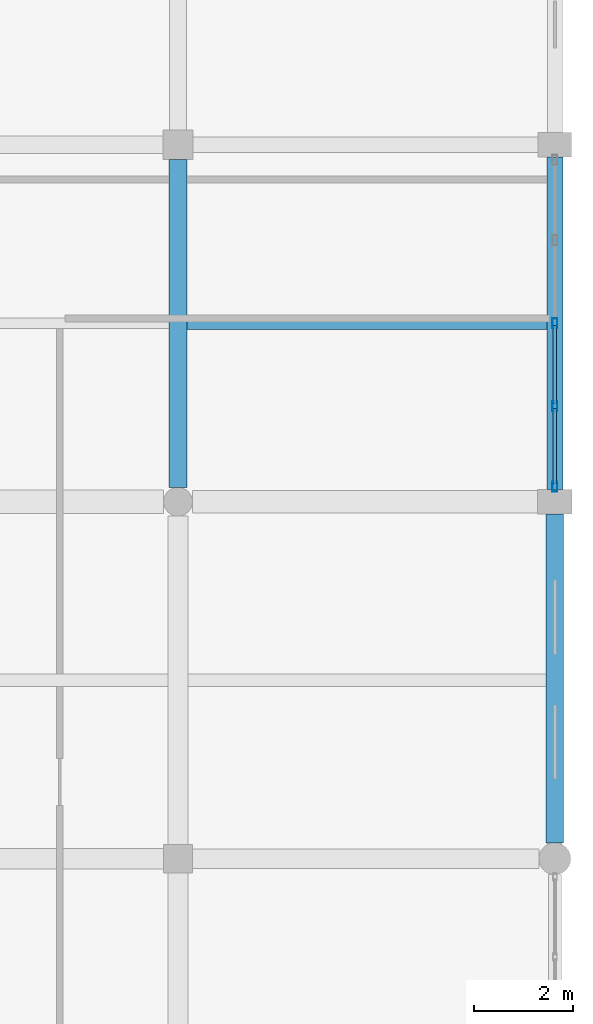
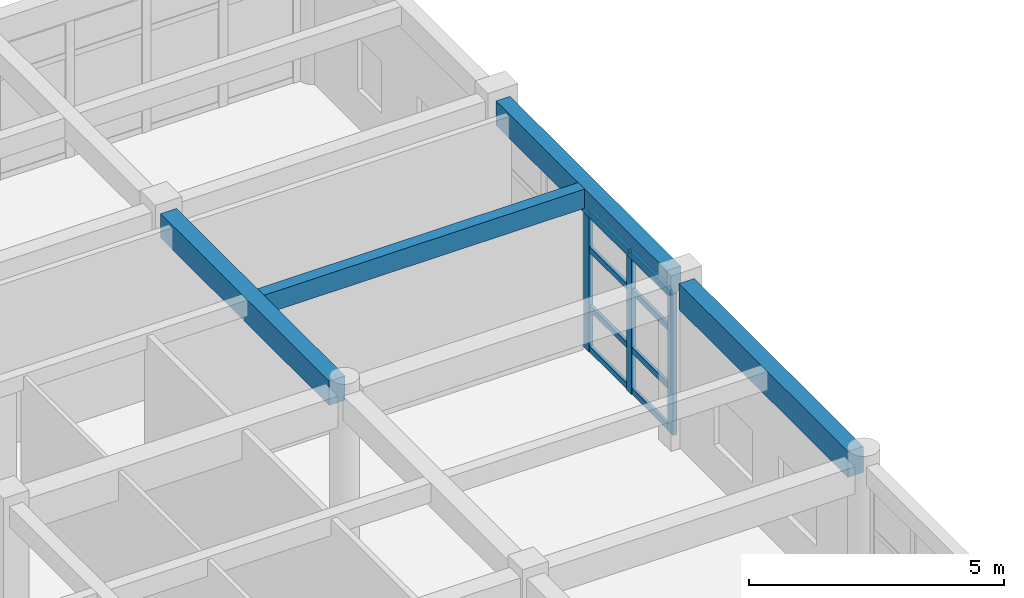
# One storey, part 87 of 121: 11 members, 4 beams, 1 element without a shape of its own.
"""IFC4 building model written with IfcOpenShell, lengths in metres."""

from ifc_helpers import new_model, si_unit, direction, frame, origin, origin_2d, place, context, subcontext, project, spatial, rectangle, hollow_rectangle, extrude, material, material_profile, profile_set, type_object, element, aggregate, save


model = new_model("IFC4")

# Units and contexts
model_context = context("Model", 3, precision=1e-05, world=origin(), true_north=direction((0.0, 1.0)))
body_context = subcontext(model_context, "Body", "Model", "MODEL_VIEW")
ifc_project = project(units=[si_unit("LENGTHUNIT", "METRE"), si_unit("AREAUNIT", "SQUARE_METRE"), si_unit("VOLUMEUNIT", "CUBIC_METRE"), si_unit("PLANEANGLEUNIT", "RADIAN"), si_unit("MASSUNIT", "GRAM", prefix="KILO")], contexts=[model_context])

# Site, building, storey
site_placement = place(None, origin())
site = spatial("IfcSite", under=ifc_project, at=site_placement, CompositionType="ELEMENT")
building_placement = place(site_placement, origin())
building = spatial("IfcBuilding", under=site, at=building_placement, Name="Kharva Crest Polytechnic", CompositionType="ELEMENT")
storey_placement = place(building_placement, frame((0.0, 0.0, 13.199951171875)))
storey = spatial("IfcBuildingStorey", under=building, at=storey_placement, Name="L03", CompositionType="ELEMENT", Elevation=13.199951171875)

# Beam
ifc_material_1 = material(Name="Concrete C35/45", Category="concrete")
ifc_material_profile_1 = material_profile(ifc_material_1, rectangle(XDim=0.360107421875, YDim=0.580078125, at=origin_2d()), Name="RECT 360 X 580")
ifc_profile_set_1 = profile_set([ifc_material_profile_1], Name="Concrete C35/45")
beam_type_1 = type_object("IfcBeamType", Name="BM-RC-360X580", PredefinedType="BEAM", material=ifc_profile_set_1)
beam_1_placement = place(storey_placement, frame((176.39990234375, 107.889892578125, 3.670166015625), z_axis=(0.0, 1.0, 0.0), x_axis=(-1.0, 0.0, 0.0)))
element("IfcBeam", 1, at=beam_1_placement, inside=storey, type_object=beam_type_1, Name="L03 Girder 23/Q-R", PredefinedType="BEAM", context=body_context, shape_type="SweptSolid", body=[
    extrude(rectangle(XDim=0.360107421875, YDim=0.580078125, at=origin_2d()), origin(), (0.0, 0.0, 1.0), 6.610107421875),
])

# Curtain wall, members
ifc_material_2 = material(Name="Tempered insulated glass", Category="glass")
curtain_wall_type = type_object("IfcCurtainWallType", Name="CW-SYS-LIBRARY", PredefinedType="USERDEFINED", material=ifc_material_2)
curtain_wall_placement = place(storey_placement, origin())
curtain_wall = element("IfcCurtainWall", 2, at=curtain_wall_placement, inside=storey, type_object=curtain_wall_type, Name="L03 Glazed Curtain Wall CW-153", ObjectType="CURTAIN WALL", PredefinedType="USERDEFINED")
ifc_material_3 = material(Name="Steel S355", Category="steel")
ifc_material_profile_2 = material_profile(ifc_material_3, hollow_rectangle(XDim=0.10009765625, YDim=0.199951171875, WallThickness=0.00634765625, at=origin_2d()), Name="RHS 200X100X6.3")
ifc_profile_set_2 = profile_set([ifc_material_profile_2], Name="Steel S355")
member_type_1 = type_object("IfcMemberType", Name="CWM-RHS200X100", PredefinedType="MULLION", material=ifc_profile_set_2)
member_1_placement = place(storey_placement, frame((184.0, 107.905029296875, 0.0), z_axis=(0.0, 0.0, 1.0), x_axis=(-1.0, 0.0, 0.0)))
member_1 = element("IfcMember", 3, at=member_1_placement, type_object=member_type_1, Name="CW-153 mullion 1", PredefinedType="MULLION", context=body_context, shape_type="SweptSolid", body=[
    extrude(hollow_rectangle(XDim=0.10009765625, YDim=0.199951171875, WallThickness=0.00634765625, at=origin_2d()), origin(), (0.0, 0.0, 1.0), 3.380126953125),
])
member_2_placement = place(storey_placement, frame((184.0, 109.527587890625, 0.0), z_axis=(0.0, 0.0, 1.0), x_axis=(-1.0, 0.0, 0.0)))
member_2 = element("IfcMember", 4, at=member_2_placement, type_object=member_type_1, Name="CW-153 mullion 2", PredefinedType="MULLION", context=body_context, shape_type="SweptSolid", body=[
    extrude(hollow_rectangle(XDim=0.10009765625, YDim=0.199951171875, WallThickness=0.00634765625, at=origin_2d()), origin(), (0.0, 0.0, 1.0), 3.380126953125),
])
member_3_placement = place(storey_placement, frame((184.0, 111.199951171875, 0.0), z_axis=(0.0, 0.0, 1.0), x_axis=(-1.0, 0.0, 0.0)))
member_3 = element("IfcMember", 5, at=member_3_placement, type_object=member_type_1, Name="CW-153 mullion 3", PredefinedType="MULLION", context=body_context, shape_type="SweptSolid", body=[
    extrude(hollow_rectangle(XDim=0.10009765625, YDim=0.199951171875, WallThickness=0.00634765625, at=origin_2d()), origin(), (0.0, 0.0, 1.0), 3.380126953125),
])
ifc_material_profile_3 = material_profile(ifc_material_3, hollow_rectangle(XDim=0.070068359375, YDim=0.139892578125, WallThickness=0.00390625, at=origin_2d()), Name="RHS 140X70X4.0")
ifc_profile_set_3 = profile_set([ifc_material_profile_3], Name="Steel S355")
member_type_2 = type_object("IfcMemberType", Name="CWT-RHS140X70", PredefinedType="USERDEFINED", material=ifc_profile_set_3)
member_4_placement = place(storey_placement, frame((184.0, 107.955078125, 0.070068359375), z_axis=(0.0, 1.0, 0.0), x_axis=(-1.0, 0.0, 0.0)))
member_4 = element("IfcMember", 6, at=member_4_placement, type_object=member_type_2, Name="CW-153 transom 1.1", ObjectType="TRANSOM", PredefinedType="USERDEFINED", context=body_context, shape_type="SweptSolid", body=[
    extrude(hollow_rectangle(XDim=0.070068359375, YDim=0.139892578125, WallThickness=0.00390625, at=origin_2d()), origin(), (0.0, 0.0, 1.0), 1.5224609375),
])
member_5_placement = place(storey_placement, frame((184.0, 107.955078125, 1.050048828125), z_axis=(0.0, 1.0, 0.0), x_axis=(-1.0, 0.0, 0.0)))
member_5 = element("IfcMember", 7, at=member_5_placement, type_object=member_type_2, Name="CW-153 transom 1.2", ObjectType="TRANSOM", PredefinedType="USERDEFINED", context=body_context, shape_type="SweptSolid", body=[
    extrude(hollow_rectangle(XDim=0.070068359375, YDim=0.139892578125, WallThickness=0.00390625, at=origin_2d()), origin(), (0.0, 0.0, 1.0), 1.5224609375),
])
member_6_placement = place(storey_placement, frame((184.0, 107.955078125, 2.449951171875), z_axis=(0.0, 1.0, 0.0), x_axis=(-1.0, 0.0, 0.0)))
member_6 = element("IfcMember", 8, at=member_6_placement, type_object=member_type_2, Name="CW-153 transom 1.3", ObjectType="TRANSOM", PredefinedType="USERDEFINED", context=body_context, shape_type="SweptSolid", body=[
    extrude(hollow_rectangle(XDim=0.070068359375, YDim=0.139892578125, WallThickness=0.00390625, at=origin_2d()), origin(), (0.0, 0.0, 1.0), 1.5224609375),
])
member_7_placement = place(storey_placement, frame((184.0, 107.955078125, 3.31005859375), z_axis=(0.0, 1.0, 0.0), x_axis=(-1.0, 0.0, 0.0)))
member_7 = element("IfcMember", 9, at=member_7_placement, type_object=member_type_2, Name="CW-153 transom 1.4", ObjectType="TRANSOM", PredefinedType="USERDEFINED", context=body_context, shape_type="SweptSolid", body=[
    extrude(hollow_rectangle(XDim=0.070068359375, YDim=0.139892578125, WallThickness=0.00390625, at=origin_2d()), origin(), (0.0, 0.0, 1.0), 1.5224609375),
])
member_8_placement = place(storey_placement, frame((184.0, 109.577392578125, 0.070068359375), z_axis=(0.0, 1.0, 0.0), x_axis=(-1.0, 0.0, 0.0)))
member_8 = element("IfcMember", 10, at=member_8_placement, type_object=member_type_2, Name="CW-153 transom 2.1", ObjectType="TRANSOM", PredefinedType="USERDEFINED", context=body_context, shape_type="SweptSolid", body=[
    extrude(hollow_rectangle(XDim=0.070068359375, YDim=0.139892578125, WallThickness=0.00390625, at=origin_2d()), origin(), (0.0, 0.0, 1.0), 1.572509765625),
])
member_9_placement = place(storey_placement, frame((184.0, 109.577392578125, 1.050048828125), z_axis=(0.0, 1.0, 0.0), x_axis=(-1.0, 0.0, 0.0)))
member_9 = element("IfcMember", 11, at=member_9_placement, type_object=member_type_2, Name="CW-153 transom 2.2", ObjectType="TRANSOM", PredefinedType="USERDEFINED", context=body_context, shape_type="SweptSolid", body=[
    extrude(hollow_rectangle(XDim=0.070068359375, YDim=0.139892578125, WallThickness=0.00390625, at=origin_2d()), origin(), (0.0, 0.0, 1.0), 1.572509765625),
])
member_10_placement = place(storey_placement, frame((184.0, 109.577392578125, 2.449951171875), z_axis=(0.0, 1.0, 0.0), x_axis=(-1.0, 0.0, 0.0)))
member_10 = element("IfcMember", 12, at=member_10_placement, type_object=member_type_2, Name="CW-153 transom 2.3", ObjectType="TRANSOM", PredefinedType="USERDEFINED", context=body_context, shape_type="SweptSolid", body=[
    extrude(hollow_rectangle(XDim=0.070068359375, YDim=0.139892578125, WallThickness=0.00390625, at=origin_2d()), origin(), (0.0, 0.0, 1.0), 1.572509765625),
])
member_11_placement = place(storey_placement, frame((184.0, 109.577392578125, 3.31005859375), z_axis=(0.0, 1.0, 0.0), x_axis=(-1.0, 0.0, 0.0)))
member_11 = element("IfcMember", 13, at=member_11_placement, type_object=member_type_2, Name="CW-153 transom 2.4", ObjectType="TRANSOM", PredefinedType="USERDEFINED", context=body_context, shape_type="SweptSolid", body=[
    extrude(hollow_rectangle(XDim=0.070068359375, YDim=0.139892578125, WallThickness=0.00390625, at=origin_2d()), origin(), (0.0, 0.0, 1.0), 1.572509765625),
])
aggregate(curtain_wall, [member_1, member_2, member_3, member_4, member_5, member_6, member_7, member_8, member_9, member_10, member_11])

# Beams
ifc_material_profile_4 = material_profile(ifc_material_1, rectangle(XDim=0.260009765625, YDim=0.4599609375, at=origin_2d()), Name="RECT 260 X 460")
ifc_profile_set_4 = profile_set([ifc_material_profile_4], Name="Concrete C35/45")
beam_type_2 = type_object("IfcBeamType", Name="JS-RC-260X460", PredefinedType="JOIST", material=ifc_profile_set_4)
beam_2_placement = place(storey_placement, frame((176.580078125, 111.199951171875, 3.72998046875), z_axis=(1.0, 0.0, 0.0), x_axis=(0.0, 1.0, 0.0)))
element("IfcBeam", 14, at=beam_2_placement, inside=storey, type_object=beam_type_2, Name="L03 Floor Joist 52", PredefinedType="JOIST", context=body_context, shape_type="SweptSolid", body=[
    extrude(rectangle(XDim=0.260009765625, YDim=0.4599609375, at=origin_2d()), origin(), (0.0, 0.0, 1.0), 7.260009765625),
])
ifc_material_profile_5 = material_profile(ifc_material_1, rectangle(XDim=0.320068359375, YDim=0.580078125, at=origin_2d()), Name="RECT 320 X 580")
ifc_profile_set_5 = profile_set([ifc_material_profile_5], Name="Concrete C35/45")
beam_type_3 = type_object("IfcBeamType", Name="SP-RC-320X580", PredefinedType="SPANDREL", material=ifc_profile_set_5)
beam_3_placement = place(storey_placement, frame((184.0, 107.85009765625, 3.670166015625), z_axis=(0.0, 1.0, 0.0), x_axis=(-1.0, 0.0, 0.0)))
element("IfcBeam", 15, at=beam_3_placement, inside=storey, type_object=beam_type_3, Name="L03 Girder 24/Q-R", PredefinedType="SPANDREL", context=body_context, shape_type="SweptSolid", body=[
    extrude(rectangle(XDim=0.320068359375, YDim=0.580078125, at=origin_2d()), origin(), (0.0, 0.0, 1.0), 6.699951171875),
])
ifc_material_profile_6 = material_profile(ifc_material_1, rectangle(XDim=0.35009765625, YDim=0.6201171875, at=origin_2d()), Name="RECT 350 X 620")
ifc_profile_set_6 = profile_set([ifc_material_profile_6], Name="Concrete C35/45")
beam_type_4 = type_object("IfcBeamType", Name="SP-RC-350X620", PredefinedType="SPANDREL", material=ifc_profile_set_6)
beam_4_placement = place(storey_placement, frame((184.0, 100.719970703125, 3.650146484375), z_axis=(0.0, 1.0, 0.0), x_axis=(-1.0, 0.0, 0.0)))
element("IfcBeam", 16, at=beam_4_placement, inside=storey, type_object=beam_type_4, Name="L03 Girder 24/P-Q", PredefinedType="SPANDREL", context=body_context, shape_type="SweptSolid", body=[
    extrude(rectangle(XDim=0.35009765625, YDim=0.6201171875, at=origin_2d()), origin(), (0.0, 0.0, 1.0), 6.630126953125),
])

save(model, "model.ifc")
